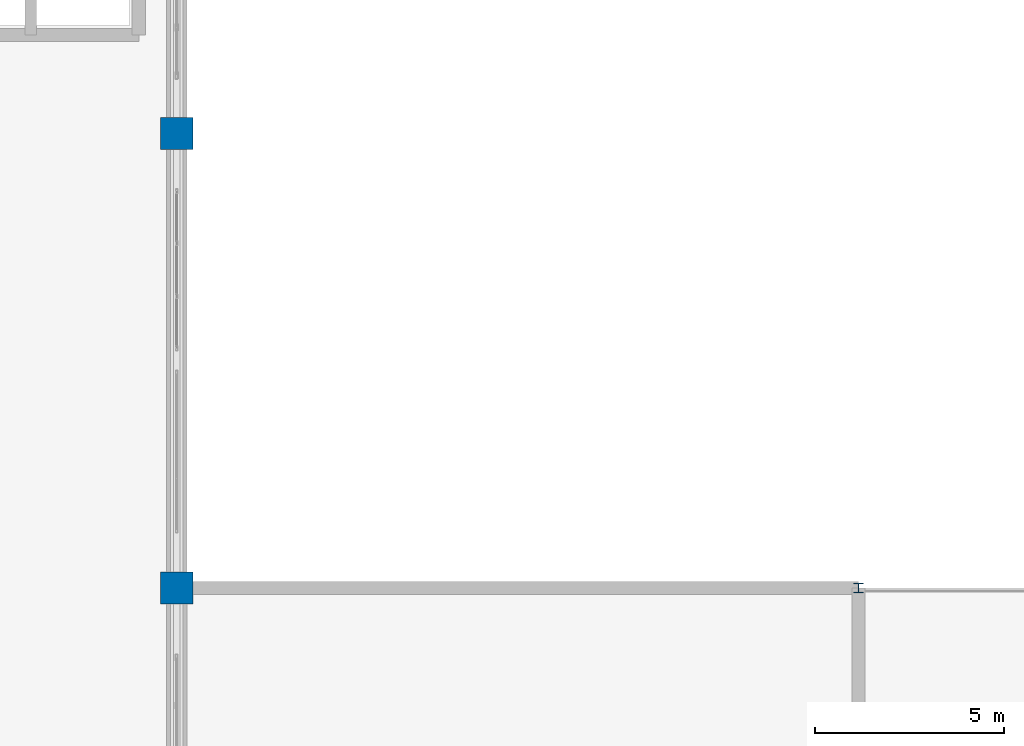
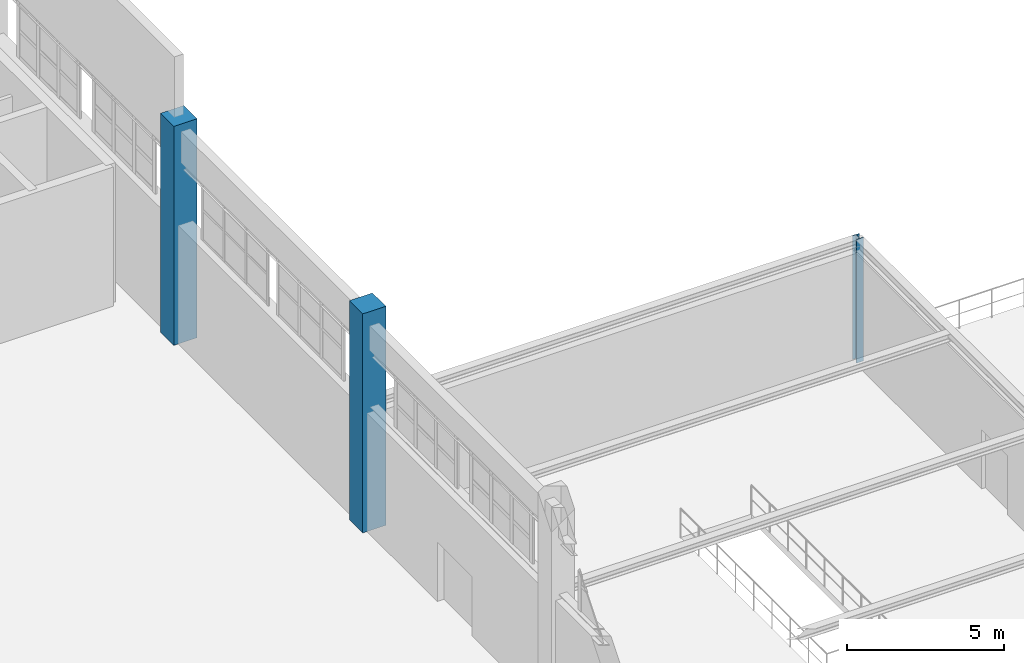
# One storey, part 11 of 97: 3 columns.
"""IFC4 building model written with IfcOpenShell, lengths in metres."""

from ifc_helpers import new_model, si_unit, derived_unit, direction, frame, origin, origin_2d, place, context, subcontext, project, spatial, rectangle, i_section, extrude, material, material_profile, profile_set, type_object, element, save


model = new_model("IFC4")

# Units and contexts
model_context = context("Model", 3, precision=1e-05, world=origin(), true_north=direction((0.0, 1.0)))
body_context = subcontext(model_context, "Body", "Model", "MODEL_VIEW")
ifc_project = project(units=[si_unit("LENGTHUNIT", "METRE"), si_unit("AREAUNIT", "SQUARE_METRE"), si_unit("VOLUMEUNIT", "CUBIC_METRE"), si_unit("PLANEANGLEUNIT", "RADIAN"), si_unit("MASSUNIT", "GRAM", prefix="KILO"), derived_unit("THERMALTRANSMITTANCEUNIT", [(si_unit("POWERUNIT", "WATT"), 1), (si_unit("LENGTHUNIT", "METRE"), -2), (si_unit("THERMODYNAMICTEMPERATUREUNIT", "KELVIN"), -1)])], contexts=[model_context])

# Site, building, storey
site_placement = place(None, origin())
site = spatial("IfcSite", under=ifc_project, at=site_placement, CompositionType="ELEMENT")
building_placement = place(site_placement, origin())
building = spatial("IfcBuilding", under=site, at=building_placement, Name="Almenara Railside Exhibition Hall", CompositionType="ELEMENT")
storey_placement = place(building_placement, frame((0.0, 0.0, 10.800048828125)))
storey = spatial("IfcBuildingStorey", under=building, at=storey_placement, Name="L02", CompositionType="ELEMENT", Elevation=10.800048828125)

# Columns
ifc_material_1 = material(Name="Concrete C40/50", Category="concrete")
ifc_material_profile_1 = material_profile(ifc_material_1, rectangle(XDim=0.85009765625, YDim=0.85009765625, at=origin_2d()), Name="RC 850x850")
ifc_profile_set_1 = profile_set([ifc_material_profile_1], Name="Concrete C40/50")
column_type_1 = type_object("IfcColumnType", Name="RC Column 850x850 C40/50", PredefinedType="COLUMN", material=ifc_profile_set_1)
for number, where, z_axis, x_axis, name in (
    (1, (66.0, 108.0, 0.0), (0.0, 0.0, 1.0), (1.0, 0.0, 0.0), "Column 0058"),
    (2, (66.0, 120.0, 0.0), (0.0, 0.0, 1.0), (1.0, 0.0, 0.0), "Column 0068"),
):
    element("IfcColumn", number, at=place(storey_placement, frame(where, z_axis=z_axis, x_axis=x_axis)), inside=storey, type_object=column_type_1, Name=name, PredefinedType="COLUMN", context=body_context, shape_type="SweptSolid", body=[
        extrude(rectangle(XDim=0.85009765625, YDim=0.85009765625, at=origin_2d()), origin(), (0.0, 0.0, 1.0), 8.5),
    ])
ifc_material_2 = material(Name="Structural steel S355JR", Category="steel")
ifc_material_profile_2 = material_profile(ifc_material_2, i_section(OverallWidth=0.25634765625, OverallDepth=0.26025390625, WebThickness=0.01025390625, FlangeThickness=0.017333984375, FilletRadius=0.0126953125, at=origin_2d()), Name="UC 254x254x89")
ifc_profile_set_2 = profile_set([ifc_material_profile_2], Name="Structural steel S355JR")
column_type_2 = type_object("IfcColumnType", Name="Steel Column UC 254x254x89 S355JR", PredefinedType="COLUMN", material=ifc_profile_set_2)
column_placement = place(storey_placement, frame((84.0, 108.0, 0.0), z_axis=(0.0, 0.0, 1.0), x_axis=(1.0, 0.0, 0.0)))
element("IfcColumn", 3, at=column_placement, inside=storey, type_object=column_type_2, Name="Column 0216", PredefinedType="COLUMN", context=body_context, shape_type="SweptSolid", body=[
    extrude(i_section(OverallWidth=0.25634765625, OverallDepth=0.26025390625, WebThickness=0.01025390625, FlangeThickness=0.017333984375, FilletRadius=0.0126953125, at=origin_2d()), origin(), (0.0, 0.0, 1.0), 4.800048828125),
])

save(model, "model.ifc")
